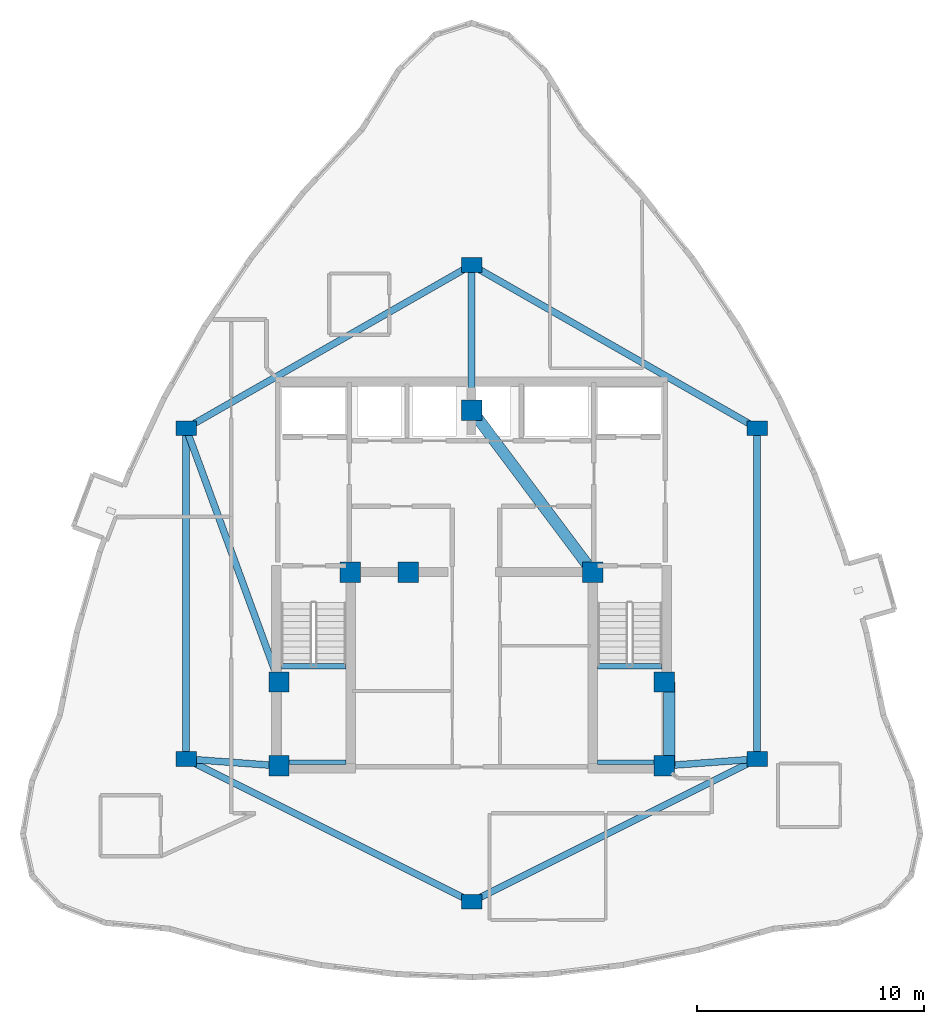
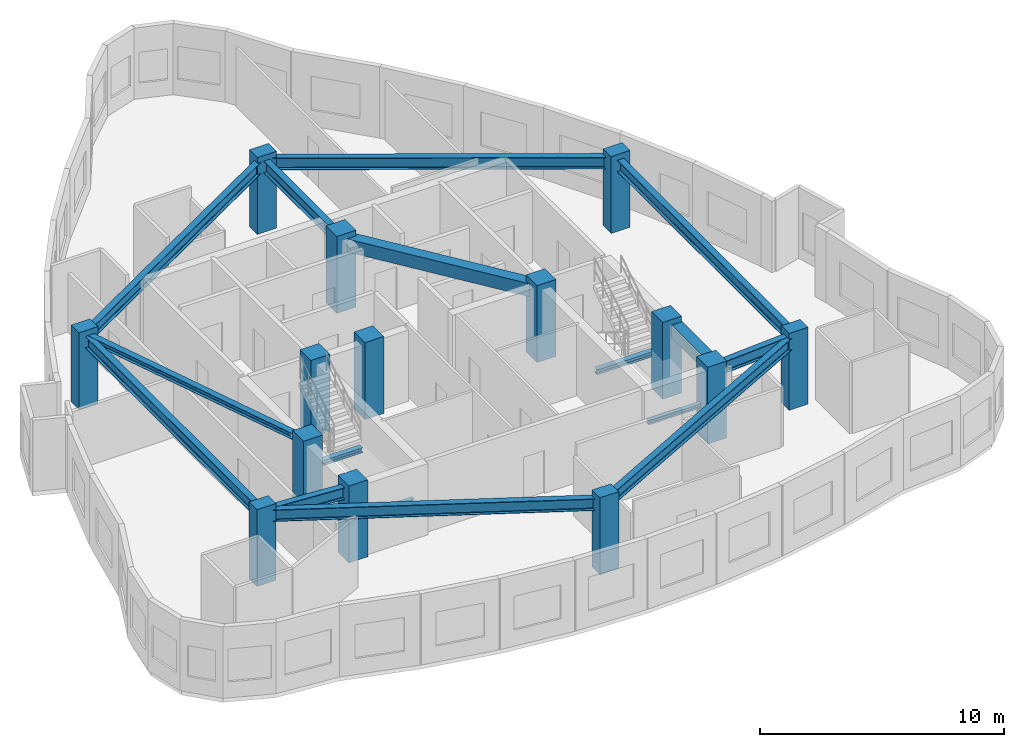
# One storey, part 1 of 9: 16 beams, 14 columns.
"""IFC4 building model written with IfcOpenShell, lengths in metres."""

from ifc_helpers import new_model, si_unit, direction, frame, origin, origin_2d, place, context, subcontext, project, spatial, rectangle, i_section, extrude, material, material_profile, profile_set, type_object, element, save


model = new_model("IFC4")

# Units and contexts
model_context = context("Model", 3, precision=1e-05, world=origin(), true_north=direction((0.0, 1.0)))
body_context = subcontext(model_context, "Body", "Model", "MODEL_VIEW")
ifc_project = project(units=[si_unit("LENGTHUNIT", "METRE"), si_unit("AREAUNIT", "SQUARE_METRE"), si_unit("VOLUMEUNIT", "CUBIC_METRE"), si_unit("PLANEANGLEUNIT", "RADIAN"), si_unit("MASSUNIT", "GRAM", prefix="KILO")], contexts=[model_context])

# Site, building, storey
site_placement = place(None, origin())
site = spatial("IfcSite", under=ifc_project, at=site_placement, CompositionType="ELEMENT")
building_placement = place(site_placement, origin())
building = spatial("IfcBuilding", under=site, at=building_placement, Name="Miruveldt Soraemaru", CompositionType="ELEMENT")
storey_placement = place(building_placement, frame((0.0, 0.0, 263.550048828125)))
storey = spatial("IfcBuildingStorey", under=building, at=storey_placement, Name="L72", CompositionType="ELEMENT", Elevation=263.550048828125)

# Columns
ifc_material_1 = material(Name="Concrete C50/60 (50 MPa)", Category="concrete")
ifc_material_profile_1 = material_profile(ifc_material_1, rectangle(XDim=0.89990234375, YDim=0.89990234375, at=origin_2d()), Name="Concrete C50/60 (50 MPa)", Category="concrete")
ifc_profile_set_1 = profile_set([ifc_material_profile_1], Name="Concrete C50/60 (50 MPa)")
column_type_1 = type_object("IfcColumnType", Name="COL-CORE-900", PredefinedType="COLUMN", material=ifc_profile_set_1)
for number, where, z_axis, x_axis, name in (
    (1, (35.5, 35.5, 0.0), (0.0, 0.0, 1.0), (1.0, 0.0, 0.0), "L72 Structural Column CC1"),
    (2, (38.64990234375, 44.050048828125, 0.0), (0.0, 0.0, 1.0), (1.0, 0.0, 0.0), "L72 Structural Column CC2"),
    (3, (52.5, 35.5, 0.0), (0.0, 0.0, 1.0), (1.0, 0.0, 0.0), "L72 Structural Column CC3"),
    (4, (52.5, 39.199951171875, 0.0), (0.0, 0.0, 1.0), (1.0, 0.0, 0.0), "L72 Structural Column CC4"),
    (5, (49.35009765625, 44.050048828125, 0.0), (0.0, 0.0, 1.0), (1.0, 0.0, 0.0), "L72 Structural Column CC5"),
    (6, (44.0, 51.199951171875, 0.0), (0.0, 0.0, 1.0), (1.0, 0.0, 0.0), "L72 Structural Column CC6"),
    (7, (35.5, 39.199951171875, 0.0), (0.0, 0.0, 1.0), (1.0, 0.0, 0.0), "L72 Structural Column CC7"),
    (8, (41.199951171875, 44.050048828125, 0.0), (0.0, 0.0, 1.0), (1.0, 0.0, 0.0), "L72 Structural Column CC8"),
):
    element("IfcColumn", number, at=place(storey_placement, frame(where, z_axis=z_axis, x_axis=x_axis)), inside=storey, type_object=column_type_1, Name=name, PredefinedType="COLUMN", context=body_context, shape_type="SweptSolid", body=[
        extrude(rectangle(XDim=0.89990234375, YDim=0.89990234375, at=origin_2d()), origin(), (0.0, 0.0, 1.0), 3.849853515625),
    ])
ifc_material_profile_2 = material_profile(ifc_material_1, rectangle(XDim=0.89990234375, YDim=0.64990234375, at=origin_2d()), Name="Concrete C50/60 (50 MPa)", Category="concrete")
ifc_profile_set_2 = profile_set([ifc_material_profile_2], Name="Concrete C50/60 (50 MPa)")
column_type_2 = type_object("IfcColumnType", Name="COL-TW-Z4", PredefinedType="COLUMN", material=ifc_profile_set_2)
for number, where, z_axis, x_axis, name in (
    (9, (44.0, 57.60009765625, 0.0), (0.0, 0.0, 1.0), (1.0, 0.0, 0.0), "L72 Structural Column IR01"),
    (10, (56.60009765625, 50.39990234375, 0.0), (0.0, 0.0, 1.0), (1.0, 0.0, 0.0), "L72 Structural Column IR02"),
    (11, (56.60009765625, 35.800048828125, 0.0), (0.0, 0.0, 1.0), (1.0, 0.0, 0.0), "L72 Structural Column IR03"),
    (12, (44.0, 29.5, 0.0), (0.0, 0.0, 1.0), (1.0, 0.0, 0.0), "L72 Structural Column IR04"),
    (13, (31.39990234375, 35.800048828125, 0.0), (0.0, 0.0, 1.0), (1.0, 0.0, 0.0), "L72 Structural Column IR05"),
    (14, (31.39990234375, 50.39990234375, 0.0), (0.0, 0.0, 1.0), (1.0, 0.0, 0.0), "L72 Structural Column IR06"),
):
    element("IfcColumn", number, at=place(storey_placement, frame(where, z_axis=z_axis, x_axis=x_axis)), inside=storey, type_object=column_type_2, Name=name, PredefinedType="COLUMN", context=body_context, shape_type="SweptSolid", body=[
        extrude(rectangle(XDim=0.89990234375, YDim=0.64990234375, at=origin_2d()), origin(), (0.0, 0.0, 1.0), 3.849853515625),
    ])

# Beams
ifc_material_2 = material(Name="Steel SM355 (355 MPa)", Category="steel")
ifc_material_profile_3 = material_profile(ifc_material_2, i_section(OverallWidth=0.300048828125, OverallDepth=0.300048828125, WebThickness=0.010009765625, FlangeThickness=0.014892578125, FilletRadius=0.01806640625, at=origin_2d()), Name="Steel SM355 (355 MPa)", Category="steel")
ifc_profile_set_3 = profile_set([ifc_material_profile_3], Name="Steel SM355 (355 MPa)")
beam_type_1 = type_object("IfcBeamType", Name="BM-LNT-H300", PredefinedType="LINTEL", material=ifc_profile_set_3)
beam_1_placement = place(storey_placement, frame((31.39990234375, 50.39990234375, 3.4150390625), z_axis=(0.343770424598, -0.939053723262, 0.0), x_axis=(0.939053723262, 0.343770424598, 0.0)))
element("IfcBeam", 15, at=beam_1_placement, inside=storey, type_object=beam_type_1, Name="L72 West Lobby Lintel", PredefinedType="LINTEL", context=body_context, shape_type="SweptSolid", body=[
    extrude(i_section(OverallWidth=0.300048828125, OverallDepth=0.300048828125, WebThickness=0.010009765625, FlangeThickness=0.014892578125, FilletRadius=0.01806640625, at=origin_2d()), origin(), (0.0, 0.0, 1.0), 11.9267578125),
])
ifc_material_profile_4 = material_profile(ifc_material_1, rectangle(XDim=0.5, YDim=0.64990234375, at=origin_2d()), Name="Concrete C50/60 (50 MPa)", Category="concrete")
ifc_profile_set_4 = profile_set([ifc_material_profile_4], Name="Concrete C50/60 (50 MPa)")
beam_type_2 = type_object("IfcBeamType", Name="BM-RC-500x650", PredefinedType="BEAM", material=ifc_profile_set_4)
beam_2_placement = place(storey_placement, frame((52.72998046875, 35.5, 3.239990234375), z_axis=(0.0, 1.0, 0.0), x_axis=(-1.0, 0.0, 0.0)))
element("IfcBeam", 16, at=beam_2_placement, inside=storey, type_object=beam_type_2, Name="L72 Core Tie Beam 3", PredefinedType="BEAM", context=body_context, shape_type="SweptSolid", body=[
    extrude(rectangle(XDim=0.5, YDim=0.64990234375, at=origin_2d()), origin(), (0.0, 0.0, 1.0), 3.699951171875),
])
beam_3_placement = place(storey_placement, frame((49.35009765625, 44.050048828125, 3.239990234375), z_axis=(-0.599116023999, 0.800662219533, 0.0), x_axis=(-0.800662219533, -0.599116023999, 0.0)))
element("IfcBeam", 17, at=beam_3_placement, inside=storey, type_object=beam_type_2, Name="L72 Core Tie Beam 5", PredefinedType="BEAM", context=body_context, shape_type="SweptSolid", body=[
    extrude(rectangle(XDim=0.5, YDim=0.64990234375, at=origin_2d()), origin(), (0.0, 0.0, 1.0), 8.929931640625),
])
ifc_material_profile_5 = material_profile(ifc_material_2, i_section(OverallWidth=0.300048828125, OverallDepth=0.587890625, WebThickness=0.011962890625, FlangeThickness=0.02001953125, FilletRadius=0.028076171875, at=origin_2d()), Name="Steel SM355 (355 MPa)", Category="steel")
ifc_profile_set_5 = profile_set([ifc_material_profile_5], Name="Steel SM355 (355 MPa)")
beam_type_3 = type_object("IfcBeamType", Name="BM-ST-H588", PredefinedType="BEAM", material=ifc_profile_set_5)
beam_4_placement = place(storey_placement, frame((44.0, 57.60009765625, 3.27099609375), z_axis=(0.868239001029, -0.496146185203, 0.0), x_axis=(0.496146185203, 0.868239001029, 0.0)))
element("IfcBeam", 18, at=beam_4_placement, inside=storey, type_object=beam_type_3, Name="L72 Inner Ring Girder 1", PredefinedType="BEAM", context=body_context, shape_type="SweptSolid", body=[
    extrude(i_section(OverallWidth=0.300048828125, OverallDepth=0.587890625, WebThickness=0.011962890625, FlangeThickness=0.02001953125, FilletRadius=0.028076171875, at=origin_2d()), origin(), (0.0, 0.0, 1.0), 14.51220703125),
])
beam_5_placement = place(storey_placement, frame((44.0, 51.199951171875, 3.27099609375), z_axis=(0.0, 1.0, 0.0), x_axis=(-1.0, 0.0, 0.0)))
element("IfcBeam", 19, at=beam_5_placement, inside=storey, type_object=beam_type_3, Name="L72 Core-to-Inner Radial Girder 1", PredefinedType="BEAM", context=body_context, shape_type="SweptSolid", body=[
    extrude(i_section(OverallWidth=0.300048828125, OverallDepth=0.587890625, WebThickness=0.011962890625, FlangeThickness=0.02001953125, FilletRadius=0.028076171875, at=origin_2d()), origin(), (0.0, 0.0, 1.0), 6.400146484375),
])
beam_6_placement = place(storey_placement, frame((56.60009765625, 50.39990234375, 3.27099609375), z_axis=(0.0, -1.0, 0.0), x_axis=(1.0, 0.0, 0.0)))
element("IfcBeam", 20, at=beam_6_placement, inside=storey, type_object=beam_type_3, Name="L72 Inner Ring Girder 2", PredefinedType="BEAM", context=body_context, shape_type="SweptSolid", body=[
    extrude(i_section(OverallWidth=0.300048828125, OverallDepth=0.587890625, WebThickness=0.011962890625, FlangeThickness=0.02001953125, FilletRadius=0.028076171875, at=origin_2d()), origin(), (0.0, 0.0, 1.0), 14.599853515625),
])
beam_7_placement = place(storey_placement, frame((56.60009765625, 35.800048828125, 3.27099609375), z_axis=(-0.894427191, -0.4472135955, 0.0), x_axis=(0.4472135955, -0.894427191, 0.0)))
element("IfcBeam", 21, at=beam_7_placement, inside=storey, type_object=beam_type_3, Name="L72 Inner Ring Girder 3", PredefinedType="BEAM", context=body_context, shape_type="SweptSolid", body=[
    extrude(i_section(OverallWidth=0.300048828125, OverallDepth=0.587890625, WebThickness=0.011962890625, FlangeThickness=0.02001953125, FilletRadius=0.028076171875, at=origin_2d()), origin(), (0.0, 0.0, 1.0), 14.08740234375),
])
beam_8_placement = place(storey_placement, frame((52.5, 35.5, 3.27099609375), z_axis=(0.997332985605, 0.072985723431, 0.0), x_axis=(-0.072985723431, 0.997332985605, 0.0)))
element("IfcBeam", 22, at=beam_8_placement, inside=storey, type_object=beam_type_3, Name="L72 Core-to-Inner Radial Girder 3", PredefinedType="BEAM", context=body_context, shape_type="SweptSolid", body=[
    extrude(i_section(OverallWidth=0.300048828125, OverallDepth=0.587890625, WebThickness=0.011962890625, FlangeThickness=0.02001953125, FilletRadius=0.028076171875, at=origin_2d()), origin(), (0.0, 0.0, 1.0), 4.111083984375),
])
beam_9_placement = place(storey_placement, frame((44.0, 29.5, 3.27099609375), z_axis=(-0.894427191, 0.4472135955, 0.0), x_axis=(-0.4472135955, -0.894427191, 0.0)))
element("IfcBeam", 23, at=beam_9_placement, inside=storey, type_object=beam_type_3, Name="L72 Inner Ring Girder 4", PredefinedType="BEAM", context=body_context, shape_type="SweptSolid", body=[
    extrude(i_section(OverallWidth=0.300048828125, OverallDepth=0.587890625, WebThickness=0.011962890625, FlangeThickness=0.02001953125, FilletRadius=0.028076171875, at=origin_2d()), origin(), (0.0, 0.0, 1.0), 14.08740234375),
])
beam_10_placement = place(storey_placement, frame((31.39990234375, 35.800048828125, 3.27099609375), z_axis=(0.0, 1.0, 0.0), x_axis=(-1.0, 0.0, 0.0)))
element("IfcBeam", 24, at=beam_10_placement, inside=storey, type_object=beam_type_3, Name="L72 Inner Ring Girder 5", PredefinedType="BEAM", context=body_context, shape_type="SweptSolid", body=[
    extrude(i_section(OverallWidth=0.300048828125, OverallDepth=0.587890625, WebThickness=0.011962890625, FlangeThickness=0.02001953125, FilletRadius=0.028076171875, at=origin_2d()), origin(), (0.0, 0.0, 1.0), 14.599853515625),
])
beam_11_placement = place(storey_placement, frame((35.5, 35.5, 3.27099609375), z_axis=(-0.997332985605, 0.072985723431, 0.0), x_axis=(-0.072985723431, -0.997332985605, 0.0)))
element("IfcBeam", 25, at=beam_11_placement, inside=storey, type_object=beam_type_3, Name="L72 Core-to-Inner Radial Girder 5", PredefinedType="BEAM", context=body_context, shape_type="SweptSolid", body=[
    extrude(i_section(OverallWidth=0.300048828125, OverallDepth=0.587890625, WebThickness=0.011962890625, FlangeThickness=0.02001953125, FilletRadius=0.028076171875, at=origin_2d()), origin(), (0.0, 0.0, 1.0), 4.111083984375),
])
beam_12_placement = place(storey_placement, frame((31.39990234375, 50.39990234375, 3.27099609375), z_axis=(0.868239001029, 0.496146185203, 0.0), x_axis=(-0.496146185203, 0.868239001029, 0.0)))
element("IfcBeam", 26, at=beam_12_placement, inside=storey, type_object=beam_type_3, Name="L72 Inner Ring Girder 6", PredefinedType="BEAM", context=body_context, shape_type="SweptSolid", body=[
    extrude(i_section(OverallWidth=0.300048828125, OverallDepth=0.587890625, WebThickness=0.011962890625, FlangeThickness=0.02001953125, FilletRadius=0.028076171875, at=origin_2d()), origin(), (0.0, 0.0, 1.0), 14.51220703125),
])
ifc_material_profile_6 = material_profile(ifc_material_2, i_section(OverallWidth=0.199951171875, OverallDepth=0.199951171875, WebThickness=0.008056640625, FlangeThickness=0.011962890625, FilletRadius=0.012939453125, at=origin_2d()), Name="Steel SM355 (355 MPa)", Category="steel")
ifc_profile_set_6 = profile_set([ifc_material_profile_6], Name="Steel SM355 (355 MPa)")
beam_type_4 = type_object("IfcBeamType", Name="BM-ST-LND200", PredefinedType="BEAM", material=ifc_profile_set_6)
for number, where, z_axis, x_axis, name in (
    (27, (35.60009765625, 35.64990234375, 1.625), (1.0, 0.0, 0.0), (0.0, 1.0, 0.0), "L72 ST1 Landing End Beam 1B"),
    (28, (49.550048828125, 35.64990234375, 1.625), (1.0, 0.0, 0.0), (0.0, 1.0, 0.0), "L72 ST2 Landing End Beam 1B"),
):
    element("IfcBeam", number, at=place(storey_placement, frame(where, z_axis=z_axis, x_axis=x_axis)), inside=storey, type_object=beam_type_4, Name=name, PredefinedType="BEAM", context=body_context, shape_type="SweptSolid", body=[
        extrude(i_section(OverallWidth=0.199951171875, OverallDepth=0.199951171875, WebThickness=0.008056640625, FlangeThickness=0.011962890625, FilletRadius=0.012939453125, at=origin_2d()), origin(), (0.0, 0.0, 1.0), 2.849853515625),
    ])
ifc_material_profile_7 = material_profile(ifc_material_2, i_section(OverallWidth=0.25, OverallDepth=0.25, WebThickness=0.009033203125, FlangeThickness=0.013916015625, FilletRadius=0.01611328125, at=origin_2d()), Name="Steel SM355 (355 MPa)", Category="steel")
ifc_profile_set_7 = profile_set([ifc_material_profile_7], Name="Steel SM355 (355 MPa)")
beam_type_5 = type_object("IfcBeamType", Name="BM-ST-LND250", PredefinedType="BEAM", material=ifc_profile_set_7)
for number, where, z_axis, x_axis, name in (
    (29, (35.60009765625, 39.89990234375, 1.599853515625), (1.0, 0.0, 0.0), (0.0, 1.0, 0.0), "L72 ST1 Landing Support Beam 1A"),
    (30, (49.550048828125, 39.89990234375, 1.599853515625), (1.0, 0.0, 0.0), (0.0, 1.0, 0.0), "L72 ST2 Landing Support Beam 1A"),
):
    element("IfcBeam", number, at=place(storey_placement, frame(where, z_axis=z_axis, x_axis=x_axis)), inside=storey, type_object=beam_type_5, Name=name, PredefinedType="BEAM", context=body_context, shape_type="SweptSolid", body=[
        extrude(i_section(OverallWidth=0.25, OverallDepth=0.25, WebThickness=0.009033203125, FlangeThickness=0.013916015625, FilletRadius=0.01611328125, at=origin_2d()), origin(), (0.0, 0.0, 1.0), 2.849853515625),
    ])

save(model, "model.ifc")
